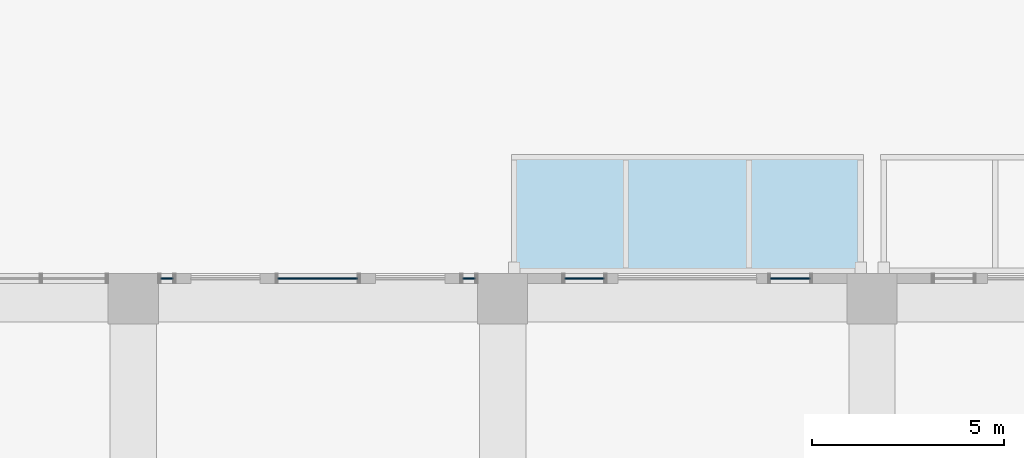
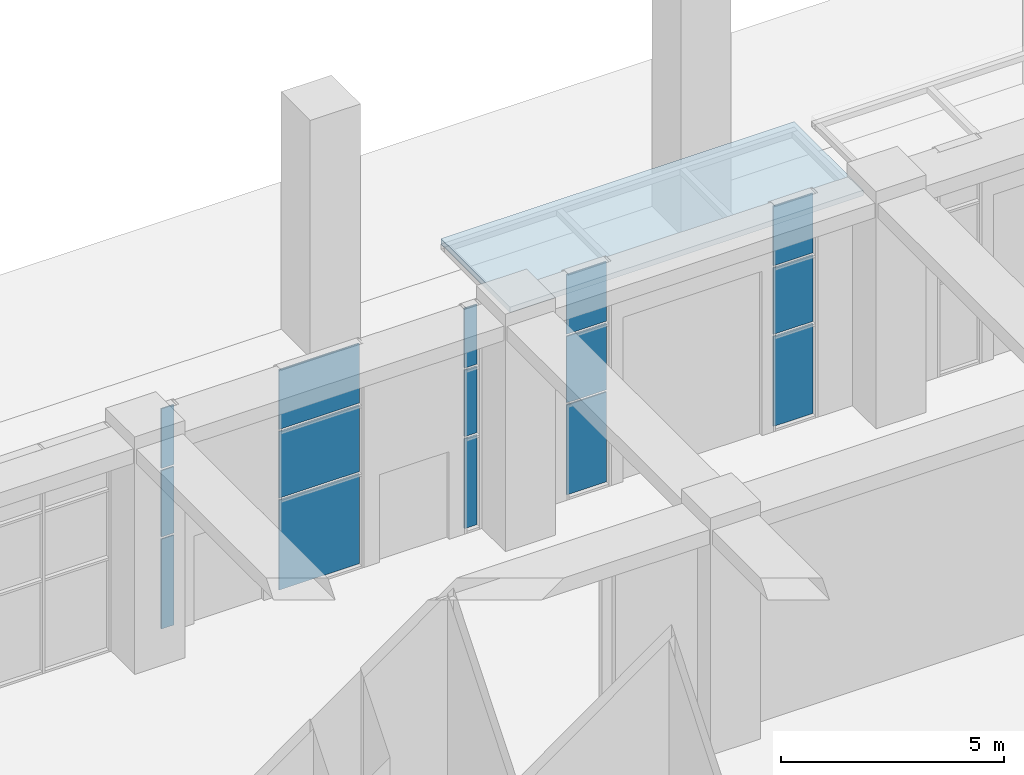
# One storey, part 13 of 45: 16 plates, 5 elements without a shape of their own.
"""IFC4 building model written with IfcOpenShell, lengths in metres."""

from ifc_helpers import new_model, si_unit, direction, frame, origin, origin_2d, place, context, subcontext, project, spatial, rectangle, extrude, material, layer, layer_set, type_object, element, aggregate, save


model = new_model("IFC4")

# Units and contexts
model_context = context("Model", 3, precision=1e-05, world=origin(), true_north=direction((0.0, 1.0)))
body_context = subcontext(model_context, "Body", "Model", "MODEL_VIEW")
ifc_project = project(units=[si_unit("LENGTHUNIT", "METRE"), si_unit("AREAUNIT", "SQUARE_METRE"), si_unit("VOLUMEUNIT", "CUBIC_METRE"), si_unit("PLANEANGLEUNIT", "RADIAN"), si_unit("MASSUNIT", "GRAM", prefix="KILO")], contexts=[model_context])

# Site, building, storey
site_placement = place(None, origin())
site = spatial("IfcSite", under=ifc_project, at=site_placement, CompositionType="ELEMENT")
building_placement = place(site_placement, origin())
building = spatial("IfcBuilding", under=site, at=building_placement, Name="Nzadi Deep Aquarium and Research Tower", CompositionType="ELEMENT")
storey_placement = place(building_placement, origin())
storey = spatial("IfcBuildingStorey", under=building, at=storey_placement, Name="G", CompositionType="ELEMENT", Elevation=0.0)

# Plate
ifc_material_1 = material(Name="Aluminium composite panel, dark graphite", Category="aluminium")
ifc_layer_1 = layer(ifc_material_1, 0.14990234375)
ifc_layer_set_1 = layer_set([ifc_layer_1], Name="Aluminium composite panel, dark graphite")
plate_type_1 = type_object("IfcPlateType", Name="Canopy plate aluminium composite graphite 150", PredefinedType="SHEET", material=ifc_layer_set_1)
plate_1_placement = place(storey_placement, frame((24.0, 133.800048828125, 5.449951171875), z_axis=(0.0, 0.0, 1.0), x_axis=(1.0, 0.0, 0.0)))
element("IfcPlate", 1, at=plate_1_placement, inside=storey, type_object=plate_type_1, Name="Entrance canopy 1", PredefinedType="SHEET", context=body_context, shape_type="SweptSolid", body=[
    extrude(rectangle(XDim=9.14990234375, YDim=3.10009765625, at=origin_2d()), origin(), (0.0, 0.0, 1.0), 0.14990234375),
])

# Curtain wall, plates
ifc_material_2 = material(Name="Aluminium stick frame", Category="aluminium")
ifc_layer_2 = layer(ifc_material_2, 0.25)
ifc_layer_set_2 = layer_set([ifc_layer_2], Name="Aluminium stick frame")
curtain_wall_type = type_object("IfcCurtainWallType", Name="Curtain wall Stick 250", PredefinedType="NOTDEFINED", material=ifc_layer_set_2)
curtain_wall_1_placement = place(storey_placement, origin())
curtain_wall_1 = element("IfcCurtainWall", 2, at=curtain_wall_1_placement, inside=storey, type_object=curtain_wall_type, Name="Lobby stick glazing G", PredefinedType="NOTDEFINED")
ifc_material_3 = material(Name="Glass, deep ocean tint", Category="glass")
ifc_layer_3 = layer(ifc_material_3, 0.031982421875)
ifc_layer_set_3 = layer_set([ifc_layer_3], Name="Glass, deep ocean tint")
plate_type_2 = type_object("IfcPlateType", Name="Glazing panel 32 Stick", PredefinedType="CURTAIN_PANEL", material=ifc_layer_set_3)
plate_2_placement = place(storey_placement, frame((10.47509765625, 132.125, 0.06005859375), z_axis=(0.0, 0.0, 1.0), x_axis=(1.0, 0.0, 0.0)))
plate_2 = element("IfcPlate", 3, at=plate_2_placement, type_object=plate_type_2, Name="CW227 panel 1.1", PredefinedType="CURTAIN_PANEL", context=body_context, shape_type="SweptSolid", body=[
    extrude(rectangle(XDim=0.330078125, YDim=0.031982421875, at=origin_2d()), origin(), (0.0, 0.0, 1.0), 2.4599609375),
])
plate_3_placement = place(storey_placement, frame((10.47509765625, 132.125, 2.580078125), z_axis=(0.0, 0.0, 1.0), x_axis=(1.0, 0.0, 0.0)))
plate_3 = element("IfcPlate", 4, at=plate_3_placement, type_object=plate_type_2, Name="CW227 panel 1.2", PredefinedType="CURTAIN_PANEL", context=body_context, shape_type="SweptSolid", body=[
    extrude(rectangle(XDim=0.330078125, YDim=0.031982421875, at=origin_2d()), origin(), (0.0, 0.0, 1.0), 1.818115234375),
])
plate_4_placement = place(storey_placement, frame((10.47509765625, 132.125, 4.4580078125), z_axis=(0.0, 0.0, 1.0), x_axis=(1.0, 0.0, 0.0)))
plate_4 = element("IfcPlate", 5, at=plate_4_placement, type_object=plate_type_2, Name="CW227 panel 1.3", PredefinedType="CURTAIN_PANEL", context=body_context, shape_type="SweptSolid", body=[
    extrude(rectangle(XDim=0.330078125, YDim=0.031982421875, at=origin_2d()), origin(), (0.0, 0.0, 1.0), 1.632080078125),
])
aggregate(curtain_wall_1, [plate_2, plate_3, plate_4])

curtain_wall_2_placement = place(storey_placement, origin())
curtain_wall_2 = element("IfcCurtainWall", 6, at=curtain_wall_2_placement, inside=storey, type_object=curtain_wall_type, Name="Lobby stick glazing G", PredefinedType="NOTDEFINED")
plate_5_placement = place(storey_placement, frame((14.39990234375, 132.125, 0.06005859375), z_axis=(0.0, 0.0, 1.0), x_axis=(1.0, 0.0, 0.0)))
plate_5 = element("IfcPlate", 7, at=plate_5_placement, type_object=plate_type_2, Name="CW228 panel 1.1", PredefinedType="CURTAIN_PANEL", context=body_context, shape_type="SweptSolid", body=[
    extrude(rectangle(XDim=2.080078125, YDim=0.031982421875, at=origin_2d()), origin(), (0.0, 0.0, 1.0), 2.4599609375),
])
plate_6_placement = place(storey_placement, frame((14.39990234375, 132.125, 2.580078125), z_axis=(0.0, 0.0, 1.0), x_axis=(1.0, 0.0, 0.0)))
plate_6 = element("IfcPlate", 8, at=plate_6_placement, type_object=plate_type_2, Name="CW228 panel 1.2", PredefinedType="CURTAIN_PANEL", context=body_context, shape_type="SweptSolid", body=[
    extrude(rectangle(XDim=2.080078125, YDim=0.031982421875, at=origin_2d()), origin(), (0.0, 0.0, 1.0), 1.818115234375),
])
plate_7_placement = place(storey_placement, frame((14.39990234375, 132.125, 4.4580078125), z_axis=(0.0, 0.0, 1.0), x_axis=(1.0, 0.0, 0.0)))
plate_7 = element("IfcPlate", 9, at=plate_7_placement, type_object=plate_type_2, Name="CW228 panel 1.3", PredefinedType="CURTAIN_PANEL", context=body_context, shape_type="SweptSolid", body=[
    extrude(rectangle(XDim=2.080078125, YDim=0.031982421875, at=origin_2d()), origin(), (0.0, 0.0, 1.0), 1.632080078125),
])
aggregate(curtain_wall_2, [plate_5, plate_6, plate_7])

curtain_wall_3_placement = place(storey_placement, origin())
curtain_wall_3 = element("IfcCurtainWall", 10, at=curtain_wall_3_placement, inside=storey, type_object=curtain_wall_type, Name="Lobby stick glazing G", PredefinedType="NOTDEFINED")
plate_8_placement = place(storey_placement, frame((18.324951171875, 132.125, 0.06005859375), z_axis=(0.0, 0.0, 1.0), x_axis=(1.0, 0.0, 0.0)))
plate_8 = element("IfcPlate", 11, at=plate_8_placement, type_object=plate_type_2, Name="CW229 panel 1.1", PredefinedType="CURTAIN_PANEL", context=body_context, shape_type="SweptSolid", body=[
    extrude(rectangle(XDim=0.330078125, YDim=0.031982421875, at=origin_2d()), origin(), (0.0, 0.0, 1.0), 2.4599609375),
])
plate_9_placement = place(storey_placement, frame((18.324951171875, 132.125, 2.580078125), z_axis=(0.0, 0.0, 1.0), x_axis=(1.0, 0.0, 0.0)))
plate_9 = element("IfcPlate", 12, at=plate_9_placement, type_object=plate_type_2, Name="CW229 panel 1.2", PredefinedType="CURTAIN_PANEL", context=body_context, shape_type="SweptSolid", body=[
    extrude(rectangle(XDim=0.330078125, YDim=0.031982421875, at=origin_2d()), origin(), (0.0, 0.0, 1.0), 1.818115234375),
])
plate_10_placement = place(storey_placement, frame((18.324951171875, 132.125, 4.4580078125), z_axis=(0.0, 0.0, 1.0), x_axis=(1.0, 0.0, 0.0)))
plate_10 = element("IfcPlate", 13, at=plate_10_placement, type_object=plate_type_2, Name="CW229 panel 1.3", PredefinedType="CURTAIN_PANEL", context=body_context, shape_type="SweptSolid", body=[
    extrude(rectangle(XDim=0.330078125, YDim=0.031982421875, at=origin_2d()), origin(), (0.0, 0.0, 1.0), 1.632080078125),
])
aggregate(curtain_wall_3, [plate_8, plate_9, plate_10])

curtain_wall_4_placement = place(storey_placement, origin())
curtain_wall_4 = element("IfcCurtainWall", 14, at=curtain_wall_4_placement, inside=storey, type_object=curtain_wall_type, Name="Lobby stick glazing G", PredefinedType="NOTDEFINED")
plate_11_placement = place(storey_placement, frame((21.324951171875, 132.125, 0.06005859375), z_axis=(0.0, 0.0, 1.0), x_axis=(1.0, 0.0, 0.0)))
plate_11 = element("IfcPlate", 15, at=plate_11_placement, type_object=plate_type_2, Name="CW233 panel 1.1", PredefinedType="CURTAIN_PANEL", context=body_context, shape_type="SweptSolid", body=[
    extrude(rectangle(XDim=1.030029296875, YDim=0.031982421875, at=origin_2d()), origin(), (0.0, 0.0, 1.0), 2.4599609375),
])
plate_12_placement = place(storey_placement, frame((21.324951171875, 132.125, 2.580078125), z_axis=(0.0, 0.0, 1.0), x_axis=(1.0, 0.0, 0.0)))
plate_12 = element("IfcPlate", 16, at=plate_12_placement, type_object=plate_type_2, Name="CW233 panel 1.2", PredefinedType="CURTAIN_PANEL", context=body_context, shape_type="SweptSolid", body=[
    extrude(rectangle(XDim=1.030029296875, YDim=0.031982421875, at=origin_2d()), origin(), (0.0, 0.0, 1.0), 1.818115234375),
])
plate_13_placement = place(storey_placement, frame((21.324951171875, 132.125, 4.4580078125), z_axis=(0.0, 0.0, 1.0), x_axis=(1.0, 0.0, 0.0)))
plate_13 = element("IfcPlate", 17, at=plate_13_placement, type_object=plate_type_2, Name="CW233 panel 1.3", PredefinedType="CURTAIN_PANEL", context=body_context, shape_type="SweptSolid", body=[
    extrude(rectangle(XDim=1.030029296875, YDim=0.031982421875, at=origin_2d()), origin(), (0.0, 0.0, 1.0), 1.632080078125),
])
aggregate(curtain_wall_4, [plate_11, plate_12, plate_13])

curtain_wall_5_placement = place(storey_placement, origin())
curtain_wall_5 = element("IfcCurtainWall", 18, at=curtain_wall_5_placement, inside=storey, type_object=curtain_wall_type, Name="Lobby stick glazing G", PredefinedType="NOTDEFINED")
plate_14_placement = place(storey_placement, frame((26.675048828125, 132.125, 0.06005859375), z_axis=(0.0, 0.0, 1.0), x_axis=(1.0, 0.0, 0.0)))
plate_14 = element("IfcPlate", 19, at=plate_14_placement, type_object=plate_type_2, Name="CW234 panel 1.1", PredefinedType="CURTAIN_PANEL", context=body_context, shape_type="SweptSolid", body=[
    extrude(rectangle(XDim=1.030029296875, YDim=0.031982421875, at=origin_2d()), origin(), (0.0, 0.0, 1.0), 2.4599609375),
])
plate_15_placement = place(storey_placement, frame((26.675048828125, 132.125, 2.580078125), z_axis=(0.0, 0.0, 1.0), x_axis=(1.0, 0.0, 0.0)))
plate_15 = element("IfcPlate", 20, at=plate_15_placement, type_object=plate_type_2, Name="CW234 panel 1.2", PredefinedType="CURTAIN_PANEL", context=body_context, shape_type="SweptSolid", body=[
    extrude(rectangle(XDim=1.030029296875, YDim=0.031982421875, at=origin_2d()), origin(), (0.0, 0.0, 1.0), 1.818115234375),
])
plate_16_placement = place(storey_placement, frame((26.675048828125, 132.125, 4.4580078125), z_axis=(0.0, 0.0, 1.0), x_axis=(1.0, 0.0, 0.0)))
plate_16 = element("IfcPlate", 21, at=plate_16_placement, type_object=plate_type_2, Name="CW234 panel 1.3", PredefinedType="CURTAIN_PANEL", context=body_context, shape_type="SweptSolid", body=[
    extrude(rectangle(XDim=1.030029296875, YDim=0.031982421875, at=origin_2d()), origin(), (0.0, 0.0, 1.0), 1.632080078125),
])
aggregate(curtain_wall_5, [plate_14, plate_15, plate_16])

save(model, "model.ifc")
